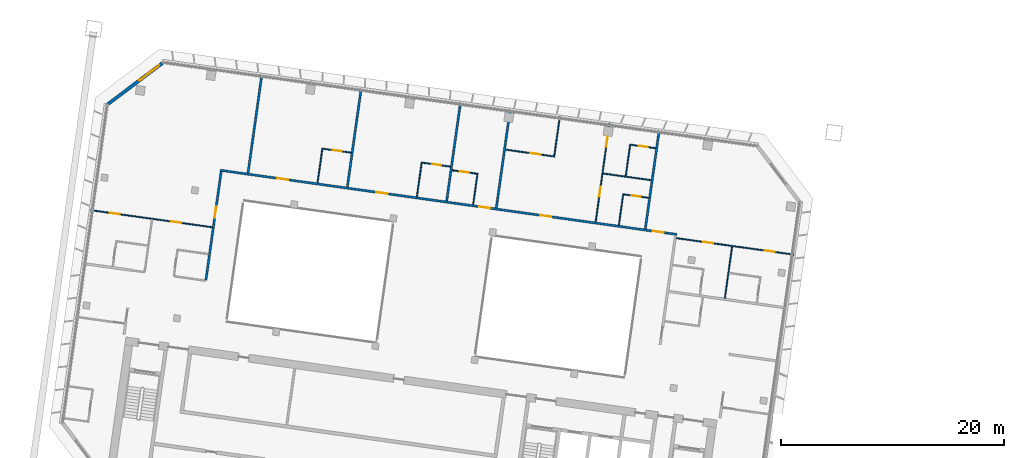
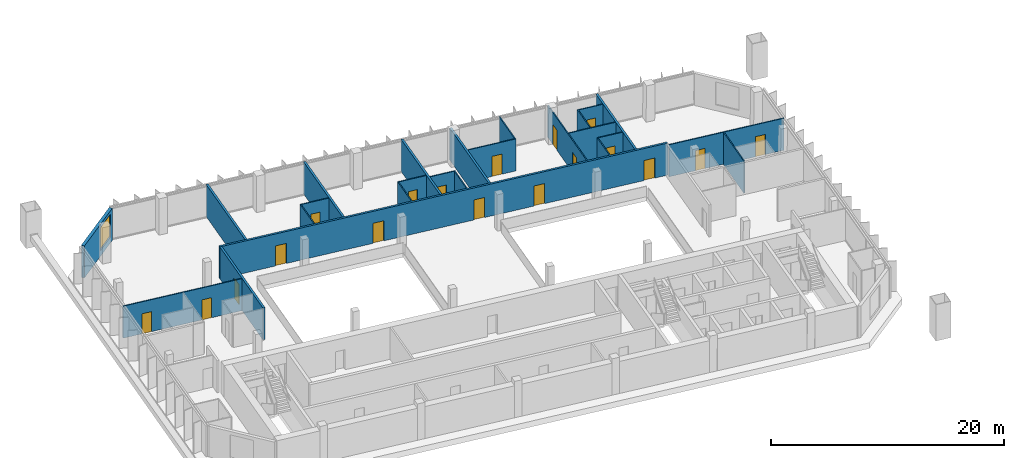
# One storey, part 19 of 31: 25 walls, 18 doors, 1 window, 19 openings.
"""IFC4 building model written with IfcOpenShell, lengths in metres."""

from ifc_helpers import new_model, si_unit, direction, frame, frame_2d, origin, place, context, subcontext, project, spatial, rectangle, extrude, material, layer, layer_set, type_object, element, fill, save


model = new_model("IFC4")

# Units and contexts
model_context = context("Model", 3, precision=1e-05, world=origin(), true_north=direction((0.0, 1.0)))
body_context = subcontext(model_context, "Body", "Model", "MODEL_VIEW")
ifc_project = project(units=[si_unit("LENGTHUNIT", "METRE"), si_unit("AREAUNIT", "SQUARE_METRE"), si_unit("VOLUMEUNIT", "CUBIC_METRE"), si_unit("PLANEANGLEUNIT", "RADIAN"), si_unit("MASSUNIT", "GRAM", prefix="KILO")], contexts=[model_context])

# Site, building, storey
site_placement = place(None, origin())
site = spatial("IfcSite", under=ifc_project, at=site_placement, CompositionType="ELEMENT")
building_placement = place(site_placement, origin())
building = spatial("IfcBuilding", under=site, at=building_placement, Name="Mirante Cascada Hotel Towers", CompositionType="ELEMENT")
storey_placement = place(building_placement, frame((0.0, 0.0, 157.4)))
storey = spatial("IfcBuildingStorey", under=building, at=storey_placement, Name="L36", CompositionType="ELEMENT", Elevation=157.4)

# Wall, openings, doors
ifc_material_1 = material(Name="Fire-rated plasterboard on metal studs")
ifc_layer_1 = layer(ifc_material_1, 0.2)
ifc_layer_set_1 = layer_set([ifc_layer_1], Name="Compartment wall 200 EI 120")
wall_type_1 = type_object("IfcWallType", Name="Compartment wall 200 EI 120", PredefinedType="PARTITIONING", material=ifc_layer_set_1)
wall_1_placement = place(storey_placement, frame((-39.1051, 9.3779, 0.0), z_axis=(0.0, 0.0, 1.0), x_axis=(-0.990268, 0.1391739, 0.0)))
wall_1 = element("IfcWall", 1, at=wall_1_placement, inside=storey, type_object=wall_type_1, Name="Wall 1-L36-19", PredefinedType="PARTITIONING", context=body_context, shape_type="SweptSolid", body=[
    extrude(rectangle(XDim=41.4, YDim=0.2, at=frame_2d((20.7, 0.0))), origin(), (0.0, 0.0, 1.0), 3.35),
])
opening_1_placement = place(wall_1_placement, frame((1.1851, 0.0, 0.0)))
opening_1 = element("IfcOpeningElement", 2, at=opening_1_placement, cuts=wall_1, Name="Opening D1-L36-07", PredefinedType="OPENING", context=body_context, shape_type="SweptSolid", body=[
    extrude(rectangle(XDim=1.0, YDim=2.1, at=frame_2d((0.5, 1.05))), frame((0.0, 0.1, 0.0), z_axis=(0.0, -1.0, 0.0), x_axis=(1.0, 0.0, 0.0)), (0.0, 0.0, 1.0), 0.2),
])
opening_2_placement = place(wall_1_placement, frame((11.3762, 0.0, 0.0)))
opening_2 = element("IfcOpeningElement", 3, at=opening_2_placement, cuts=wall_1, Name="Opening D1-L36-08", PredefinedType="OPENING", context=body_context, shape_type="SweptSolid", body=[
    extrude(rectangle(XDim=1.0, YDim=2.1, at=frame_2d((0.5, 1.05))), frame((0.0, 0.1, 0.0), z_axis=(0.0, -1.0, 0.0), x_axis=(1.0, 0.0, 0.0)), (0.0, 0.0, 1.0), 0.2),
])
opening_3_placement = place(wall_1_placement, frame((16.9306, 0.0, 0.0)))
opening_3 = element("IfcOpeningElement", 4, at=opening_3_placement, cuts=wall_1, Name="Opening D1-L36-09", PredefinedType="OPENING", context=body_context, shape_type="SweptSolid", body=[
    extrude(rectangle(XDim=1.0, YDim=2.1, at=frame_2d((0.5, 1.05))), frame((0.0, 0.1, 0.0), z_axis=(0.0, -1.0, 0.0), x_axis=(1.0, 0.0, 0.0)), (0.0, 0.0, 1.0), 0.2),
])
opening_4_placement = place(wall_1_placement, frame((26.2351, 0.0, 0.0)))
opening_4 = element("IfcOpeningElement", 5, at=opening_4_placement, cuts=wall_1, Name="Opening D1-L36-10", PredefinedType="OPENING", context=body_context, shape_type="SweptSolid", body=[
    extrude(rectangle(XDim=1.0, YDim=2.1, at=frame_2d((0.5, 1.05))), frame((0.0, 0.1, 0.0), z_axis=(0.0, -1.0, 0.0), x_axis=(1.0, 0.0, 0.0)), (0.0, 0.0, 1.0), 0.2),
])
opening_5_placement = place(wall_1_placement, frame((35.241, 0.0, 0.0)))
opening_5 = element("IfcOpeningElement", 6, at=opening_5_placement, cuts=wall_1, Name="Opening D1-L36-11", PredefinedType="OPENING", context=body_context, shape_type="SweptSolid", body=[
    extrude(rectangle(XDim=1.0, YDim=2.1, at=frame_2d((0.5, 1.05))), frame((0.0, 0.1, 0.0), z_axis=(0.0, -1.0, 0.0), x_axis=(1.0, 0.0, 0.0)), (0.0, 0.0, 1.0), 0.2),
])
ifc_material_2 = material(Name="Fire-rated timber door leaf", Category="wood")
door_type_1 = type_object("IfcDoorType", Name="Entrance door DG1 1000x2100 EI 60", OperationType="SINGLE_SWING_LEFT", PredefinedType="DOOR", material=ifc_material_2)
door_1_placement = place(opening_1_placement, frame((1.0, 0.0, 0.0), z_axis=(0.0, 0.0, 1.0), x_axis=(-1.0, 0.0, 0.0)))
door_1 = element("IfcDoor", 7, at=door_1_placement, inside=storey, type_object=door_type_1, Name="Door D1-L36-07", OperationType="SINGLE_SWING_RIGHT", OverallHeight=2.1, OverallWidth=1.0, PredefinedType="DOOR", context=body_context, shape_type="SweptSolid", body=[
    extrude(rectangle(XDim=1.0, YDim=2.1, at=frame_2d((0.5, 1.05))), frame((0.0, 0.025, 0.0), z_axis=(0.0, -1.0, 0.0), x_axis=(1.0, 0.0, 0.0)), (0.0, 0.0, 1.0), 0.05),
])
fill(opening_1, door_1)
door_2_placement = place(opening_2_placement, frame((1.0, 0.0, 0.0), z_axis=(0.0, 0.0, 1.0), x_axis=(-1.0, 0.0, 0.0)))
door_2 = element("IfcDoor", 8, at=door_2_placement, inside=storey, type_object=door_type_1, Name="Door D1-L36-08", OperationType="SINGLE_SWING_RIGHT", OverallHeight=2.1, OverallWidth=1.0, PredefinedType="DOOR", context=body_context, shape_type="SweptSolid", body=[
    extrude(rectangle(XDim=1.0, YDim=2.1, at=frame_2d((0.5, 1.05))), frame((0.0, 0.025, 0.0), z_axis=(0.0, -1.0, 0.0), x_axis=(1.0, 0.0, 0.0)), (0.0, 0.0, 1.0), 0.05),
])
fill(opening_2, door_2)
door_3_placement = place(opening_3_placement, frame((1.0, 0.0, 0.0), z_axis=(0.0, 0.0, 1.0), x_axis=(-1.0, 0.0, 0.0)))
door_3 = element("IfcDoor", 9, at=door_3_placement, inside=storey, type_object=door_type_1, Name="Door D1-L36-09", OperationType="SINGLE_SWING_RIGHT", OverallHeight=2.1, OverallWidth=1.0, PredefinedType="DOOR", context=body_context, shape_type="SweptSolid", body=[
    extrude(rectangle(XDim=1.0, YDim=2.1, at=frame_2d((0.5, 1.05))), frame((0.0, 0.025, 0.0), z_axis=(0.0, -1.0, 0.0), x_axis=(1.0, 0.0, 0.0)), (0.0, 0.0, 1.0), 0.05),
])
fill(opening_3, door_3)
door_4_placement = place(opening_4_placement, frame((1.0, 0.0, 0.0), z_axis=(0.0, 0.0, 1.0), x_axis=(-1.0, 0.0, 0.0)))
door_4 = element("IfcDoor", 10, at=door_4_placement, inside=storey, type_object=door_type_1, Name="Door D1-L36-10", OperationType="SINGLE_SWING_RIGHT", OverallHeight=2.1, OverallWidth=1.0, PredefinedType="DOOR", context=body_context, shape_type="SweptSolid", body=[
    extrude(rectangle(XDim=1.0, YDim=2.1, at=frame_2d((0.5, 1.05))), frame((0.0, 0.025, 0.0), z_axis=(0.0, -1.0, 0.0), x_axis=(1.0, 0.0, 0.0)), (0.0, 0.0, 1.0), 0.05),
])
fill(opening_4, door_4)
door_5_placement = place(opening_5_placement, frame((1.0, 0.0, 0.0), z_axis=(0.0, 0.0, 1.0), x_axis=(-1.0, 0.0, 0.0)))
door_5 = element("IfcDoor", 11, at=door_5_placement, inside=storey, type_object=door_type_1, Name="Door D1-L36-11", OperationType="SINGLE_SWING_RIGHT", OverallHeight=2.1, OverallWidth=1.0, PredefinedType="DOOR", context=body_context, shape_type="SweptSolid", body=[
    extrude(rectangle(XDim=1.0, YDim=2.1, at=frame_2d((0.5, 1.05))), frame((0.0, 0.025, 0.0), z_axis=(0.0, -1.0, 0.0), x_axis=(1.0, 0.0, 0.0)), (0.0, 0.0, 1.0), 0.05),
])
fill(opening_5, door_5)

# Walls
for number, where, z_axis, x_axis, name in (
    (12, (-40.6948, 18.6898, 0.0), (0.0, 0.0, 1.0), (-0.1391794, -0.9902672, 0.0), "Wall 1-L36-34"),
    (13, (-55.311, 11.7565, 0.0), (0.0, 0.0, 1.0), (0.1391684, 0.9902687, 0.0), "Wall 1-L36-39"),
    (14, (-59.7701, 12.3832, 0.0), (0.0, 0.0, 1.0), (0.1391794, 0.9902672, 0.0), "Wall 1-L36-41"),
):
    element("IfcWall", number, at=place(storey_placement, frame(where, z_axis=z_axis, x_axis=x_axis)), inside=storey, type_object=wall_type_1, Name=name, PredefinedType="PARTITIONING", context=body_context, shape_type="SweptSolid", body=[
        extrude(rectangle(XDim=8.9, YDim=0.2, at=frame_2d((4.45, 0.0))), origin(), (0.0, 0.0, 1.0), 3.35),
    ])
wall_2_placement = place(storey_placement, frame((-68.6884, 13.6366, 0.0), z_axis=(0.0, 0.0, 1.0), x_axis=(0.13917, 0.9902685, 0.0)))
element("IfcWall", 15, at=wall_2_placement, inside=storey, type_object=wall_type_1, Name="Wall 1-L36-43", PredefinedType="PARTITIONING", context=body_context, shape_type="SweptSolid", body=[
    extrude(rectangle(XDim=8.8999, YDim=0.2, at=frame_2d((4.45, 0.0))), origin(), (0.0, 0.0, 1.0), 3.35),
])
wall_3_placement = place(storey_placement, frame((-77.6067, 14.8899, 0.0), z_axis=(0.0, 0.0, 1.0), x_axis=(0.1391794, 0.9902672, 0.0)))
element("IfcWall", 16, at=wall_3_placement, inside=storey, type_object=wall_type_1, Name="Wall 1-L36-45", PredefinedType="PARTITIONING", context=body_context, shape_type="SweptSolid", body=[
    extrude(rectangle(XDim=8.9, YDim=0.2, at=frame_2d((4.45, 0.0))), origin(), (0.0, 0.0, 1.0), 3.35),
])

# Wall, opening, door
wall_4_placement = place(storey_placement, frame((-80.0171, 15.0267, 0.0), z_axis=(0.0, 0.0, 1.0), x_axis=(-0.1391781, -0.9902674, 0.0)))
wall_4 = element("IfcWall", 17, at=wall_4_placement, inside=storey, type_object=wall_type_1, Name="Wall 1-L36-46", PredefinedType="PARTITIONING", context=body_context, shape_type="SweptSolid", body=[
    extrude(rectangle(XDim=9.85, YDim=0.2, at=frame_2d((4.925, 0.0))), origin(), (0.0, 0.0, 1.0), 3.35),
])
opening_6_placement = place(wall_4_placement, frame((3.1834, 0.0, 0.0)))
opening_6 = element("IfcOpeningElement", 18, at=opening_6_placement, cuts=wall_4, Name="Opening D1-L36-26", PredefinedType="OPENING", context=body_context, shape_type="SweptSolid", body=[
    extrude(rectangle(XDim=1.0, YDim=2.1, at=frame_2d((0.5, 1.05))), frame((0.0, 0.1, 0.0), z_axis=(0.0, -1.0, 0.0), x_axis=(1.0, 0.0, 0.0)), (0.0, 0.0, 1.0), 0.2),
])
door_6_placement = place(opening_6_placement, frame((1.0, 0.0, 0.0), z_axis=(0.0, 0.0, 1.0), x_axis=(-1.0, 0.0, 0.0)))
door_6 = element("IfcDoor", 19, at=door_6_placement, inside=storey, type_object=door_type_1, Name="Door D1-L36-26", OperationType="SINGLE_SWING_RIGHT", OverallHeight=2.1, OverallWidth=1.0, PredefinedType="DOOR", context=body_context, shape_type="SweptSolid", body=[
    extrude(rectangle(XDim=1.0, YDim=2.1, at=frame_2d((0.5, 1.05))), frame((0.0, 0.025, 0.0), z_axis=(0.0, -1.0, 0.0), x_axis=(1.0, 0.0, 0.0)), (0.0, 0.0, 1.0), 0.05),
])
fill(opening_6, door_6)

# Wall, openings, doors
ifc_material_3 = material(Name="Plasterboard on metal studs")
ifc_layer_2 = layer(ifc_material_3, 0.1)
ifc_layer_set_2 = layer_set([ifc_layer_2], Name="Partition 100")
wall_type_2 = type_object("IfcWallType", Name="Partition 100", PredefinedType="PARTITIONING", material=ifc_layer_set_2)
wall_5_placement = place(storey_placement, frame((-80.8213, 10.0233, 0.0), z_axis=(0.0, 0.0, 1.0), x_axis=(-0.990268, 0.1391733, 0.0)))
wall_5 = element("IfcWall", 20, at=wall_5_placement, inside=storey, type_object=wall_type_2, Name="Wall 1-L36-15", PredefinedType="PARTITIONING", context=body_context, shape_type="SweptSolid", body=[
    extrude(rectangle(XDim=11.0, YDim=0.1, at=frame_2d((5.5, 0.0))), origin(), (0.0, 0.0, 1.0), 3.35),
])
opening_7_placement = place(wall_5_placement, frame((2.825, 0.0, 0.0)))
opening_7 = element("IfcOpeningElement", 21, at=opening_7_placement, cuts=wall_5, Name="Opening D1-L36-03", PredefinedType="OPENING", context=body_context, shape_type="SweptSolid", body=[
    extrude(rectangle(XDim=0.9, YDim=2.1, at=frame_2d((0.45, 1.05))), frame((0.0, 0.05, 0.0), z_axis=(0.0, -1.0, 0.0), x_axis=(1.0, 0.0, 0.0)), (0.0, 0.0, 1.0), 0.1),
])
opening_8_placement = place(wall_5_placement, frame((8.375, 0.0, 0.0)))
opening_8 = element("IfcOpeningElement", 22, at=opening_8_placement, cuts=wall_5, Name="Opening D1-L36-04", PredefinedType="OPENING", context=body_context, shape_type="SweptSolid", body=[
    extrude(rectangle(XDim=0.9, YDim=2.1, at=frame_2d((0.45, 1.05))), frame((0.0, 0.05, 0.0), z_axis=(0.0, -1.0, 0.0), x_axis=(1.0, 0.0, 0.0)), (0.0, 0.0, 1.0), 0.1),
])
ifc_material_4 = material(Name="Timber door leaf", Category="wood")
door_type_2 = type_object("IfcDoorType", Name="Room door DG3 900x2100", OperationType="SINGLE_SWING_LEFT", PredefinedType="DOOR", material=ifc_material_4)
door_7_placement = place(opening_7_placement, frame((0.9, 0.0, 0.0), z_axis=(0.0, 0.0, 1.0), x_axis=(-1.0, 0.0, 0.0)))
door_7 = element("IfcDoor", 23, at=door_7_placement, inside=storey, type_object=door_type_2, Name="Door D1-L36-03", OperationType="SINGLE_SWING_RIGHT", OverallHeight=2.1, OverallWidth=0.9, PredefinedType="DOOR", context=body_context, shape_type="SweptSolid", body=[
    extrude(rectangle(XDim=0.9, YDim=2.1, at=frame_2d((0.45, 1.05))), frame((0.0, 0.025, 0.0), z_axis=(0.0, -1.0, 0.0), x_axis=(1.0, 0.0, 0.0)), (0.0, 0.0, 1.0), 0.05),
])
fill(opening_7, door_7)
door_8_placement = place(opening_8_placement, frame((0.9, 0.0, 0.0), z_axis=(0.0, 0.0, 1.0), x_axis=(-1.0, 0.0, 0.0)))
door_8 = element("IfcDoor", 24, at=door_8_placement, inside=storey, type_object=door_type_2, Name="Door D1-L36-04", OperationType="SINGLE_SWING_RIGHT", OverallHeight=2.1, OverallWidth=0.9, PredefinedType="DOOR", context=body_context, shape_type="SweptSolid", body=[
    extrude(rectangle(XDim=0.9, YDim=2.1, at=frame_2d((0.45, 1.05))), frame((0.0, 0.025, 0.0), z_axis=(0.0, -1.0, 0.0), x_axis=(1.0, 0.0, 0.0)), (0.0, 0.0, 1.0), 0.05),
])
fill(opening_8, door_8)

wall_6_placement = place(storey_placement, frame((-39.1515, 9.0479, 0.0), z_axis=(0.0, 0.0, 1.0), x_axis=(0.9902681, -0.1391727, 0.0)))
wall_6 = element("IfcWall", 25, at=wall_6_placement, inside=storey, type_object=wall_type_2, Name="Wall 1-L36-18", PredefinedType="PARTITIONING", context=body_context, shape_type="SweptSolid", body=[
    extrude(rectangle(XDim=10.6357, YDim=0.1, at=frame_2d((5.3178, 0.0))), origin(), (0.0, 0.0, 1.0), 3.35),
])
opening_9_placement = place(wall_6_placement, frame((8.0018, 0.0, 0.0)))
opening_9 = element("IfcOpeningElement", 26, at=opening_9_placement, cuts=wall_6, Name="Opening D1-L36-05", PredefinedType="OPENING", context=body_context, shape_type="SweptSolid", body=[
    extrude(rectangle(XDim=0.9, YDim=2.1, at=frame_2d((0.45, 1.05))), frame((0.0, 0.05, 0.0), z_axis=(0.0, -1.0, 0.0), x_axis=(1.0, 0.0, 0.0)), (0.0, 0.0, 1.0), 0.1),
])
opening_10_placement = place(wall_6_placement, frame((2.4339, 0.0, 0.0)))
opening_10 = element("IfcOpeningElement", 27, at=opening_10_placement, cuts=wall_6, Name="Opening D1-L36-06", PredefinedType="OPENING", context=body_context, shape_type="SweptSolid", body=[
    extrude(rectangle(XDim=0.9, YDim=2.1, at=frame_2d((0.45, 1.05))), frame((0.0, 0.05, 0.0), z_axis=(0.0, -1.0, 0.0), x_axis=(1.0, 0.0, 0.0)), (0.0, 0.0, 1.0), 0.1),
])
door_9_placement = place(opening_9_placement, origin())
door_9 = element("IfcDoor", 28, at=door_9_placement, inside=storey, type_object=door_type_2, Name="Door D1-L36-05", OperationType="SINGLE_SWING_LEFT", OverallHeight=2.1, OverallWidth=0.9, PredefinedType="DOOR", context=body_context, shape_type="SweptSolid", body=[
    extrude(rectangle(XDim=0.9, YDim=2.1, at=frame_2d((0.45, 1.05))), frame((0.0, 0.025, 0.0), z_axis=(0.0, -1.0, 0.0), x_axis=(1.0, 0.0, 0.0)), (0.0, 0.0, 1.0), 0.05),
])
fill(opening_9, door_9)
door_10_placement = place(opening_10_placement, origin())
door_10 = element("IfcDoor", 29, at=door_10_placement, inside=storey, type_object=door_type_2, Name="Door D1-L36-06", OperationType="SINGLE_SWING_LEFT", OverallHeight=2.1, OverallWidth=0.9, PredefinedType="DOOR", context=body_context, shape_type="SweptSolid", body=[
    extrude(rectangle(XDim=0.9, YDim=2.1, at=frame_2d((0.45, 1.05))), frame((0.0, 0.025, 0.0), z_axis=(0.0, -1.0, 0.0), x_axis=(1.0, 0.0, 0.0)), (0.0, 0.0, 1.0), 0.05),
])
fill(opening_10, door_10)

# Wall, opening, door
wall_7_placement = place(storey_placement, frame((-43.8709, 12.9762, 0.0), z_axis=(0.0, 0.0, 1.0), x_axis=(0.9902705, -0.1391561, 0.0)))
wall_7 = element("IfcWall", 30, at=wall_7_placement, inside=storey, type_object=wall_type_2, Name="Wall 1-L36-20", PredefinedType="PARTITIONING", context=body_context, shape_type="SweptSolid", body=[
    extrude(rectangle(XDim=2.25, YDim=0.1, at=frame_2d((1.125, 0.0))), origin(), (0.0, 0.0, 1.0), 3.35),
])
opening_11_placement = place(wall_7_placement, frame((0.75, 0.0, 0.0)))
opening_11 = element("IfcOpeningElement", 31, at=opening_11_placement, cuts=wall_7, Name="Opening D1-L36-12", PredefinedType="OPENING", context=body_context, shape_type="SweptSolid", body=[
    extrude(rectangle(XDim=0.8, YDim=2.1, at=frame_2d((0.4, 1.05))), frame((0.0, 0.05, 0.0), z_axis=(0.0, -1.0, 0.0), x_axis=(1.0, 0.0, 0.0)), (0.0, 0.0, 1.0), 0.1),
])
ifc_material_5 = material(Name="Timber door leaf", Category="wood")
door_type_3 = type_object("IfcDoorType", Name="Bathroom door DG4 800x2100", OperationType="SINGLE_SWING_LEFT", PredefinedType="DOOR", material=ifc_material_5)
door_11_placement = place(opening_11_placement, frame((0.8, 0.0, 0.0), z_axis=(0.0, 0.0, 1.0), x_axis=(-1.0, 0.0, 0.0)))
door_11 = element("IfcDoor", 32, at=door_11_placement, inside=storey, type_object=door_type_3, Name="Door D1-L36-12", OperationType="SINGLE_SWING_RIGHT", OverallHeight=2.1, OverallWidth=0.8, PredefinedType="DOOR", context=body_context, shape_type="SweptSolid", body=[
    extrude(rectangle(XDim=0.8, YDim=2.1, at=frame_2d((0.4, 1.05))), frame((0.0, 0.025, 0.0), z_axis=(0.0, -1.0, 0.0), x_axis=(1.0, 0.0, 0.0)), (0.0, 0.0, 1.0), 0.05),
])
fill(opening_11, door_11)

wall_8_placement = place(storey_placement, frame((-57.0533, 14.8289, 0.0), z_axis=(0.0, 0.0, 1.0), x_axis=(-0.9902705, 0.1391561, 0.0)))
wall_8 = element("IfcWall", 33, at=wall_8_placement, inside=storey, type_object=wall_type_2, Name="Wall 1-L36-21", PredefinedType="PARTITIONING", context=body_context, shape_type="SweptSolid", body=[
    extrude(rectangle(XDim=2.25, YDim=0.1, at=frame_2d((1.125, 0.0))), origin(), (0.0, 0.0, 1.0), 3.35),
])
opening_12_placement = place(wall_8_placement, frame((0.75, 0.0, 0.0)))
opening_12 = element("IfcOpeningElement", 34, at=opening_12_placement, cuts=wall_8, Name="Opening D1-L36-13", PredefinedType="OPENING", context=body_context, shape_type="SweptSolid", body=[
    extrude(rectangle(XDim=0.8, YDim=2.1, at=frame_2d((0.4, 1.05))), frame((0.0, 0.05, 0.0), z_axis=(0.0, -1.0, 0.0), x_axis=(1.0, 0.0, 0.0)), (0.0, 0.0, 1.0), 0.1),
])
door_12_placement = place(opening_12_placement, frame((0.8, 0.0, 0.0), z_axis=(0.0, 0.0, 1.0), x_axis=(-1.0, 0.0, 0.0)))
door_12 = element("IfcDoor", 35, at=door_12_placement, inside=storey, type_object=door_type_3, Name="Door D1-L36-13", OperationType="SINGLE_SWING_RIGHT", OverallHeight=2.1, OverallWidth=0.8, PredefinedType="DOOR", context=body_context, shape_type="SweptSolid", body=[
    extrude(rectangle(XDim=0.8, YDim=2.1, at=frame_2d((0.4, 1.05))), frame((0.0, 0.025, 0.0), z_axis=(0.0, -1.0, 0.0), x_axis=(1.0, 0.0, 0.0)), (0.0, 0.0, 1.0), 0.05),
])
fill(opening_12, door_12)

wall_9_placement = place(storey_placement, frame((-61.9628, 15.8218, 0.0), z_axis=(0.0, 0.0, 1.0), x_axis=(0.990267, -0.1391809, 0.0)))
wall_9 = element("IfcWall", 36, at=wall_9_placement, inside=storey, type_object=wall_type_2, Name="Wall 1-L36-22", PredefinedType="PARTITIONING", context=body_context, shape_type="SweptSolid", body=[
    extrude(rectangle(XDim=2.5499, YDim=0.1, at=frame_2d((1.275, 0.0))), origin(), (0.0, 0.0, 1.0), 3.35),
])
opening_13_placement = place(wall_9_placement, frame((0.9, 0.0, 0.0)))
opening_13 = element("IfcOpeningElement", 37, at=opening_13_placement, cuts=wall_9, Name="Opening D1-L36-14", PredefinedType="OPENING", context=body_context, shape_type="SweptSolid", body=[
    extrude(rectangle(XDim=0.8, YDim=2.1, at=frame_2d((0.4, 1.05))), frame((0.0, 0.05, 0.0), z_axis=(0.0, -1.0, 0.0), x_axis=(1.0, 0.0, 0.0)), (0.0, 0.0, 1.0), 0.1),
])
door_13_placement = place(opening_13_placement, origin())
door_13 = element("IfcDoor", 38, at=door_13_placement, inside=storey, type_object=door_type_3, Name="Door D1-L36-14", OperationType="SINGLE_SWING_LEFT", OverallHeight=2.1, OverallWidth=0.8, PredefinedType="DOOR", context=body_context, shape_type="SweptSolid", body=[
    extrude(rectangle(XDim=0.8, YDim=2.1, at=frame_2d((0.4, 1.05))), frame((0.0, 0.025, 0.0), z_axis=(0.0, -1.0, 0.0), x_axis=(1.0, 0.0, 0.0)), (0.0, 0.0, 1.0), 0.05),
])
fill(opening_13, door_13)

wall_10_placement = place(storey_placement, frame((-68.356, 16.7203, 0.0), z_axis=(0.0, 0.0, 1.0), x_axis=(-0.9902677, 0.1391755, 0.0)))
wall_10 = element("IfcWall", 39, at=wall_10_placement, inside=storey, type_object=wall_type_2, Name="Wall 1-L36-23", PredefinedType="PARTITIONING", context=body_context, shape_type="SweptSolid", body=[
    extrude(rectangle(XDim=2.55, YDim=0.1, at=frame_2d((1.275, 0.0))), origin(), (0.0, 0.0, 1.0), 3.35),
])
opening_14_placement = place(wall_10_placement, frame((0.85, 0.0, 0.0)))
opening_14 = element("IfcOpeningElement", 40, at=opening_14_placement, cuts=wall_10, Name="Opening D1-L36-15", PredefinedType="OPENING", context=body_context, shape_type="SweptSolid", body=[
    extrude(rectangle(XDim=0.8, YDim=2.1, at=frame_2d((0.4, 1.05))), frame((0.0, 0.05, 0.0), z_axis=(0.0, -1.0, 0.0), x_axis=(1.0, 0.0, 0.0)), (0.0, 0.0, 1.0), 0.1),
])
door_14_placement = place(opening_14_placement, frame((0.8, 0.0, 0.0), z_axis=(0.0, 0.0, 1.0), x_axis=(-1.0, 0.0, 0.0)))
door_14 = element("IfcDoor", 41, at=door_14_placement, inside=storey, type_object=door_type_3, Name="Door D1-L36-15", OperationType="SINGLE_SWING_RIGHT", OverallHeight=2.1, OverallWidth=0.8, PredefinedType="DOOR", context=body_context, shape_type="SweptSolid", body=[
    extrude(rectangle(XDim=0.8, YDim=2.1, at=frame_2d((0.4, 1.05))), frame((0.0, 0.025, 0.0), z_axis=(0.0, -1.0, 0.0), x_axis=(1.0, 0.0, 0.0)), (0.0, 0.0, 1.0), 0.05),
])
fill(opening_14, door_14)

# Wall
wall_11_placement = place(storey_placement, frame((-45.7308, 14.8533, 0.0), z_axis=(0.0, 0.0, 1.0), x_axis=(0.990269, -0.1391665, 0.0)))
element("IfcWall", 42, at=wall_11_placement, inside=storey, type_object=wall_type_2, Name="Wall 1-L36-24", PredefinedType="PARTITIONING", context=body_context, shape_type="SweptSolid", body=[
    extrude(rectangle(XDim=4.3531, YDim=0.1, at=frame_2d((2.1766, 0.0))), origin(), (0.0, 0.0, 1.0), 3.35),
])

# Wall, opening, door
wall_12_placement = place(storey_placement, frame((-50.0647, 16.3713, 0.0), z_axis=(0.0, 0.0, 1.0), x_axis=(-0.990269, 0.1391667, 0.0)))
wall_12 = element("IfcWall", 43, at=wall_12_placement, inside=storey, type_object=wall_type_2, Name="Wall 1-L36-25", PredefinedType="PARTITIONING", context=body_context, shape_type="SweptSolid", body=[
    extrude(rectangle(XDim=4.4529, YDim=0.1, at=frame_2d((2.2264, 0.0))), origin(), (0.0, 0.0, 1.0), 3.35),
])
opening_15_placement = place(wall_12_placement, frame((1.3003, 0.0, 0.0)))
opening_15 = element("IfcOpeningElement", 44, at=opening_15_placement, cuts=wall_12, Name="Opening D1-L36-16", PredefinedType="OPENING", context=body_context, shape_type="SweptSolid", body=[
    extrude(rectangle(XDim=0.9, YDim=2.1, at=frame_2d((0.45, 1.05))), frame((0.0, 0.05, 0.0), z_axis=(0.0, -1.0, 0.0), x_axis=(1.0, 0.0, 0.0)), (0.0, 0.0, 1.0), 0.1),
])
door_15_placement = place(opening_15_placement, origin())
door_15 = element("IfcDoor", 45, at=door_15_placement, inside=storey, type_object=door_type_2, Name="Door D1-L36-16", OperationType="SINGLE_SWING_LEFT", OverallHeight=2.1, OverallWidth=0.9, PredefinedType="DOOR", context=body_context, shape_type="SweptSolid", body=[
    extrude(rectangle(XDim=0.9, YDim=2.1, at=frame_2d((0.45, 1.05))), frame((0.0, 0.025, 0.0), z_axis=(0.0, -1.0, 0.0), x_axis=(1.0, 0.0, 0.0)), (0.0, 0.0, 1.0), 0.05),
])
fill(opening_15, door_15)

wall_13_placement = place(storey_placement, frame((-43.2446, 17.4324, 0.0), z_axis=(0.0, 0.0, 1.0), x_axis=(0.9902705, -0.1391561, 0.0)))
wall_13 = element("IfcWall", 46, at=wall_13_placement, inside=storey, type_object=wall_type_2, Name="Wall 1-L36-26", PredefinedType="PARTITIONING", context=body_context, shape_type="SweptSolid", body=[
    extrude(rectangle(XDim=2.25, YDim=0.1, at=frame_2d((1.125, 0.0))), origin(), (0.0, 0.0, 1.0), 3.35),
])
opening_16_placement = place(wall_13_placement, frame((0.75, 0.0, 0.0)))
opening_16 = element("IfcOpeningElement", 47, at=opening_16_placement, cuts=wall_13, Name="Opening D1-L36-17", PredefinedType="OPENING", context=body_context, shape_type="SweptSolid", body=[
    extrude(rectangle(XDim=0.8, YDim=2.1, at=frame_2d((0.4, 1.05))), frame((0.0, 0.05, 0.0), z_axis=(0.0, -1.0, 0.0), x_axis=(1.0, 0.0, 0.0)), (0.0, 0.0, 1.0), 0.1),
])
door_16_placement = place(opening_16_placement, frame((0.8, 0.0, 0.0), z_axis=(0.0, 0.0, 1.0), x_axis=(-1.0, 0.0, 0.0)))
door_16 = element("IfcDoor", 48, at=door_16_placement, inside=storey, type_object=door_type_3, Name="Door D1-L36-17", OperationType="SINGLE_SWING_RIGHT", OverallHeight=2.1, OverallWidth=0.8, PredefinedType="DOOR", context=body_context, shape_type="SweptSolid", body=[
    extrude(rectangle(XDim=0.8, YDim=2.1, at=frame_2d((0.4, 1.05))), frame((0.0, 0.025, 0.0), z_axis=(0.0, -1.0, 0.0), x_axis=(1.0, 0.0, 0.0)), (0.0, 0.0, 1.0), 0.05),
])
fill(opening_16, door_16)

# Walls
wall_14_placement = place(storey_placement, frame((-34.1399, 8.293, 0.0), z_axis=(0.0, 0.0, 1.0), x_axis=(-0.139173, -0.9902681, 0.0)))
element("IfcWall", 49, at=wall_14_placement, inside=storey, type_object=wall_type_2, Name="Wall 1-L36-30", PredefinedType="PARTITIONING", context=body_context, shape_type="SweptSolid", body=[
    extrude(rectangle(XDim=4.6834, YDim=0.1, at=frame_2d((2.3417, 0.0))), origin(), (0.0, 0.0, 1.0), 3.35),
])
wall_15_placement = place(storey_placement, frame((-44.3101, 10.2104, 0.0), z_axis=(0.0, 0.0, 1.0), x_axis=(0.1391564, 0.9902704, 0.0)))
element("IfcWall", 50, at=wall_15_placement, inside=storey, type_object=wall_type_2, Name="Wall 1-L36-35", PredefinedType="PARTITIONING", context=body_context, shape_type="SweptSolid", body=[
    extrude(rectangle(XDim=2.85, YDim=0.1, at=frame_2d((1.425, 0.0))), origin(), (0.0, 0.0, 1.0), 3.35),
])
wall_16_placement = place(storey_placement, frame((-43.2872, 17.4889, 0.0), z_axis=(0.0, 0.0, 1.0), x_axis=(-0.1391714, -0.9902683, 0.0)))
element("IfcWall", 51, at=wall_16_placement, inside=storey, type_object=wall_type_2, Name="Wall 1-L36-36", PredefinedType="PARTITIONING", context=body_context, shape_type="SweptSolid", body=[
    extrude(rectangle(XDim=2.9, YDim=0.1, at=frame_2d((1.45, 0.0))), origin(), (0.0, 0.0, 1.0), 3.35),
])

# Wall, openings, doors
wall_17_placement = place(storey_placement, frame((-46.3926, 10.5031, 0.0), z_axis=(0.0, 0.0, 1.0), x_axis=(0.1391684, 0.9902687, 0.0)))
wall_17 = element("IfcWall", 52, at=wall_17_placement, inside=storey, type_object=wall_type_2, Name="Wall 1-L36-37", PredefinedType="PARTITIONING", context=body_context, shape_type="SweptSolid", body=[
    extrude(rectangle(XDim=8.9, YDim=0.1, at=frame_2d((4.45, 0.0))), origin(), (0.0, 0.0, 1.0), 3.35),
])
opening_17_placement = place(wall_17_placement, frame((2.3, 0.0, 0.0)))
opening_17 = element("IfcOpeningElement", 53, at=opening_17_placement, cuts=wall_17, Name="Opening D1-L36-24", PredefinedType="OPENING", context=body_context, shape_type="SweptSolid", body=[
    extrude(rectangle(XDim=0.9, YDim=2.1, at=frame_2d((0.45, 1.05))), frame((0.0, 0.05, 0.0), z_axis=(0.0, -1.0, 0.0), x_axis=(1.0, 0.0, 0.0)), (0.0, 0.0, 1.0), 0.1),
])
opening_18_placement = place(wall_17_placement, frame((6.8, 0.0, 0.0)))
opening_18 = element("IfcOpeningElement", 54, at=opening_18_placement, cuts=wall_17, Name="Opening D1-L36-25", PredefinedType="OPENING", context=body_context, shape_type="SweptSolid", body=[
    extrude(rectangle(XDim=0.9, YDim=2.1, at=frame_2d((0.45, 1.05))), frame((0.0, 0.05, 0.0), z_axis=(0.0, -1.0, 0.0), x_axis=(1.0, 0.0, 0.0)), (0.0, 0.0, 1.0), 0.1),
])
door_17_placement = place(opening_17_placement, origin())
door_17 = element("IfcDoor", 55, at=door_17_placement, inside=storey, type_object=door_type_2, Name="Door D1-L36-24", OperationType="SINGLE_SWING_LEFT", OverallHeight=2.1, OverallWidth=0.9, PredefinedType="DOOR", context=body_context, shape_type="SweptSolid", body=[
    extrude(rectangle(XDim=0.9, YDim=2.1, at=frame_2d((0.45, 1.05))), frame((0.0, 0.025, 0.0), z_axis=(0.0, -1.0, 0.0), x_axis=(1.0, 0.0, 0.0)), (0.0, 0.0, 1.0), 0.05),
])
fill(opening_17, door_17)
door_18_placement = place(opening_18_placement, origin())
door_18 = element("IfcDoor", 56, at=door_18_placement, inside=storey, type_object=door_type_2, Name="Door D1-L36-25", OperationType="SINGLE_SWING_LEFT", OverallHeight=2.1, OverallWidth=0.9, PredefinedType="DOOR", context=body_context, shape_type="SweptSolid", body=[
    extrude(rectangle(XDim=0.9, YDim=2.1, at=frame_2d((0.45, 1.05))), frame((0.0, 0.025, 0.0), z_axis=(0.0, -1.0, 0.0), x_axis=(1.0, 0.0, 0.0)), (0.0, 0.0, 1.0), 0.05),
])
fill(opening_18, door_18)

# Walls
wall_18_placement = place(storey_placement, frame((-49.6132, 19.9432, 0.0), z_axis=(0.0, 0.0, 1.0), x_axis=(-0.1391534, -0.9902708, 0.0)))
element("IfcWall", 57, at=wall_18_placement, inside=storey, type_object=wall_type_2, Name="Wall 1-L36-38", PredefinedType="PARTITIONING", context=body_context, shape_type="SweptSolid", body=[
    extrude(rectangle(XDim=3.55, YDim=0.1, at=frame_2d((1.775, 0.0))), origin(), (0.0, 0.0, 1.0), 3.35),
])
wall_19_placement = place(storey_placement, frame((-56.9968, 14.8714, 0.0), z_axis=(0.0, 0.0, 1.0), x_axis=(-0.1391613, -0.9902697, 0.0)))
element("IfcWall", 58, at=wall_19_placement, inside=storey, type_object=wall_type_2, Name="Wall 1-L36-40", PredefinedType="PARTITIONING", context=body_context, shape_type="SweptSolid", body=[
    extrude(rectangle(XDim=2.8499, YDim=0.1, at=frame_2d((1.425, 0.0))), origin(), (0.0, 0.0, 1.0), 3.35),
])
wall_20_placement = place(storey_placement, frame((-62.0054, 15.8783, 0.0), z_axis=(0.0, 0.0, 1.0), x_axis=(-0.1391721, -0.9902682, 0.0)))
element("IfcWall", 59, at=wall_20_placement, inside=storey, type_object=wall_type_2, Name="Wall 1-L36-42", PredefinedType="PARTITIONING", context=body_context, shape_type="SweptSolid", body=[
    extrude(rectangle(XDim=3.1501, YDim=0.1, at=frame_2d((1.575, 0.0))), origin(), (0.0, 0.0, 1.0), 3.35),
])
wall_21_placement = place(storey_placement, frame((-70.9238, 17.1317, 0.0), z_axis=(0.0, 0.0, 1.0), x_axis=(-0.139141, -0.9902726, 0.0)))
element("IfcWall", 60, at=wall_21_placement, inside=storey, type_object=wall_type_2, Name="Wall 1-L36-44", PredefinedType="PARTITIONING", context=body_context, shape_type="SweptSolid", body=[
    extrude(rectangle(XDim=3.15, YDim=0.1, at=frame_2d((1.575, 0.0))), origin(), (0.0, 0.0, 1.0), 3.35),
])

# Wall, opening, window
ifc_material_6 = material(Name="Precast concrete C40/50", Category="concrete")
ifc_layer_3 = layer(ifc_material_6, 0.3)
ifc_layer_set_3 = layer_set([ifc_layer_3], Name="Precast concrete C40/50 cladding wall 300")
wall_type_3 = type_object("IfcWallType", Name="Precast concrete C40/50 cladding wall 300", PredefinedType="STANDARD", material=ifc_layer_set_3)
wall_22_placement = place(storey_placement, frame((-90.1795, 21.0817, 0.0), z_axis=(0.0, 0.0, 1.0), x_axis=(0.7986362, 0.6018141, 0.0)))
wall_22 = element("IfcWall", 61, at=wall_22_placement, inside=storey, type_object=wall_type_3, Name="Corner cladding wall T1 L36 outer front", PredefinedType="STANDARD", context=body_context, shape_type="SweptSolid", body=[
    extrude(rectangle(XDim=6.1157, YDim=0.3, at=frame_2d((3.0578, 0.0))), origin(), (0.0, 0.0, 1.0), 3.35),
])
opening_19_placement = place(wall_22_placement, frame((3.5243, 0.0, 0.6)))
opening_19 = element("IfcOpeningElement", 62, at=opening_19_placement, cuts=wall_22, Name="Opening W1-36-02", PredefinedType="OPENING", context=body_context, shape_type="SweptSolid", body=[
    extrude(rectangle(XDim=2.2, YDim=2.4, at=frame_2d((1.1, 1.2))), frame((0.0, 0.15, 0.0), z_axis=(0.0, -1.0, 0.0), x_axis=(1.0, 0.0, 0.0)), (0.0, 0.0, 1.0), 0.3),
])
ifc_material_7 = material(Name="Aluminium frame with clear double glazing", Category="aluminium")
window_type = type_object("IfcWindowType", Name="Corner suite window 2200x2400", PartitioningType="DOUBLE_PANEL_VERTICAL", PredefinedType="WINDOW", material=ifc_material_7)
window_placement = place(opening_19_placement, origin())
window = element("IfcWindow", 63, at=window_placement, inside=storey, type_object=window_type, Name="Window W1-36-02", OverallHeight=2.4, OverallWidth=2.2, PartitioningType="SINGLE_PANEL", PredefinedType="WINDOW", context=body_context, shape_type="SweptSolid", body=[
    extrude(rectangle(XDim=2.2, YDim=2.4, at=frame_2d((1.1, 1.2))), frame((0.0, 0.03, 0.0), z_axis=(0.0, -1.0, 0.0), x_axis=(1.0, 0.0, 0.0)), (0.0, 0.0, 1.0), 0.06),
])
fill(opening_19, window)

save(model, "model.ifc")
